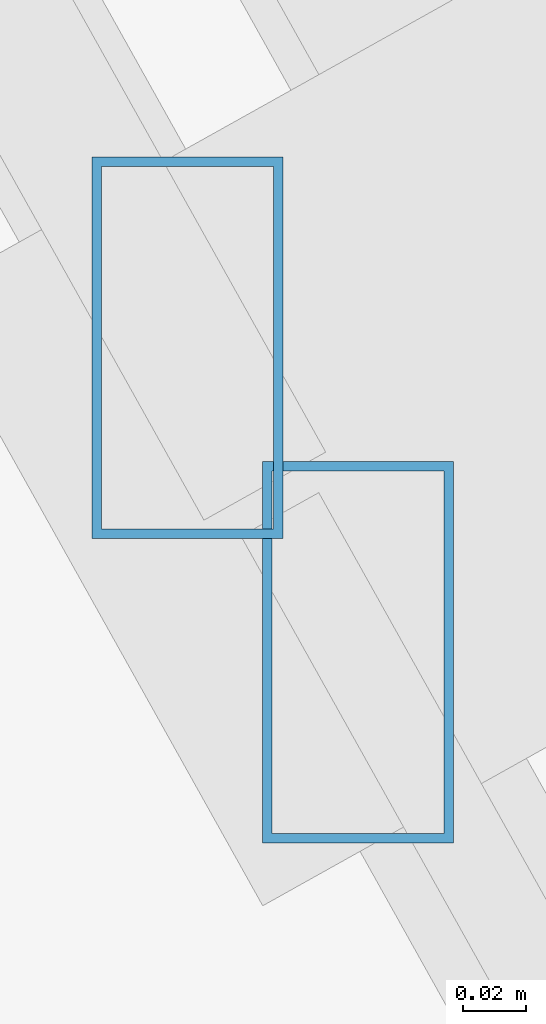
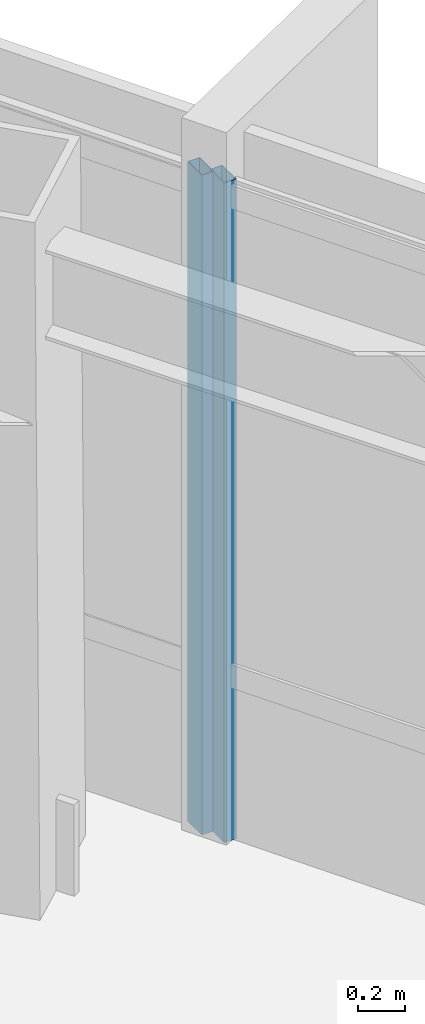
# One storey, part 28 of 45: 2 members, 2 elements without a shape of their own.
"""IFC4 building model written with IfcOpenShell, lengths in metres."""

from ifc_helpers import new_model, si_unit, direction, frame, origin, origin_2d, place, context, subcontext, project, spatial, hollow_rectangle, extrude, source, transform, mapped, material, material_profile, profile_set, type_object, type_shapes, element, aggregate, save


model = new_model("IFC4")

# Units and contexts
model_context = context("Model", 3, precision=1e-05, world=origin(), true_north=direction((0.0, 1.0)))
body_context = subcontext(model_context, "Body", "Model", "MODEL_VIEW")
ifc_project = project(units=[si_unit("LENGTHUNIT", "METRE"), si_unit("AREAUNIT", "SQUARE_METRE"), si_unit("VOLUMEUNIT", "CUBIC_METRE"), si_unit("PLANEANGLEUNIT", "RADIAN"), si_unit("MASSUNIT", "GRAM", prefix="KILO")], contexts=[model_context])

# Site, building, storey
site_placement = place(None, origin())
site = spatial("IfcSite", under=ifc_project, at=site_placement, CompositionType="ELEMENT")
building_placement = place(site_placement, origin())
building = spatial("IfcBuilding", under=site, at=building_placement, Name="Caelisora Broadcast Tower", CompositionType="ELEMENT")
storey_placement = place(building_placement, frame((0.0, 0.0, 266.35009765625)))
storey = spatial("IfcBuildingStorey", under=building, at=storey_placement, Name="L70", CompositionType="ELEMENT", Elevation=266.35009765625)

# Curtain wall, member
ifc_material_1 = material(Name="Unitised Aluminium Insulated Shadow-Box Spandrel Curtain Wall", Category="aluminium")
curtain_wall_type_1 = type_object("IfcCurtainWallType", Name="CW-SP3", PredefinedType="NOTDEFINED", material=ifc_material_1)
curtain_wall_1_placement = place(storey_placement, origin())
curtain_wall_1 = element("IfcCurtainWall", 1, at=curtain_wall_1_placement, inside=storey, type_object=curtain_wall_type_1, Name="L70 curtain wall CW-SP3", PredefinedType="NOTDEFINED")
ifc_material_2 = material(Name="Aluminium 6063-T6 Anodised Terracotta Bronze", Category="aluminium")
ifc_material_profile = material_profile(ifc_material_2, hollow_rectangle(XDim=0.06005859375, YDim=0.1201171875, WallThickness=0.0029296875, at=origin_2d()), Name="Aluminium 6063-T6 Anodised Terracotta Bronze")
ifc_profile_set = profile_set([ifc_material_profile], Name="Aluminium 6063-T6 Anodised Terracotta Bronze")
member_type = type_object("IfcMemberType", Name="CWM-04", PredefinedType="MULLION", material=ifc_profile_set)
shared_shape = source(origin(), body_context, "Body", "SweptSolid", [
    extrude(hollow_rectangle(XDim=0.06005859375, YDim=0.1201171875, WallThickness=0.0029296875, at=origin_2d()), origin(), (0.0, 0.0, 1.0), 3.39990234375),
])
type_shapes(member_type, [shared_shape])
member_1_placement = place(storey_placement, frame((54.423095703125, 25.885009765625, 0.0), z_axis=(0.0, 0.0, 1.0), x_axis=(1.0, 0.0, 0.0)))
member_1 = element("IfcMember", 2, at=member_1_placement, type_object=member_type, Name="L70-CW-B02 mullion #3", PredefinedType="MULLION", context=body_context, shape_type="MappedRepresentation", body=[
    mapped(shared_shape, transform((0.0, 0.0, 0.0), scale=1.0)),
])
aggregate(curtain_wall_1, [member_1])

ifc_material_3 = material(Name="Unitised Aluminium and Low-E Glass Curtain Wall", Category="glass")
curtain_wall_type_2 = type_object("IfcCurtainWallType", Name="CW-Z5", PredefinedType="NOTDEFINED", material=ifc_material_3)
curtain_wall_2_placement = place(storey_placement, origin())
curtain_wall_2 = element("IfcCurtainWall", 3, at=curtain_wall_2_placement, inside=storey, type_object=curtain_wall_type_2, Name="L70 curtain wall CW-Z5", PredefinedType="NOTDEFINED")
member_2_placement = place(storey_placement, frame((54.476806640625, 25.7890625, 0.0), z_axis=(0.0, 0.0, 1.0), x_axis=(1.0, 0.0, 0.0)))
member_2 = element("IfcMember", 4, at=member_2_placement, type_object=member_type, Name="L70-CW-B03 mullion #0", PredefinedType="MULLION", context=body_context, shape_type="MappedRepresentation", body=[
    mapped(shared_shape, transform((0.0, 0.0, 0.0), scale=1.0)),
])
aggregate(curtain_wall_2, [member_2])

save(model, "model.ifc")
